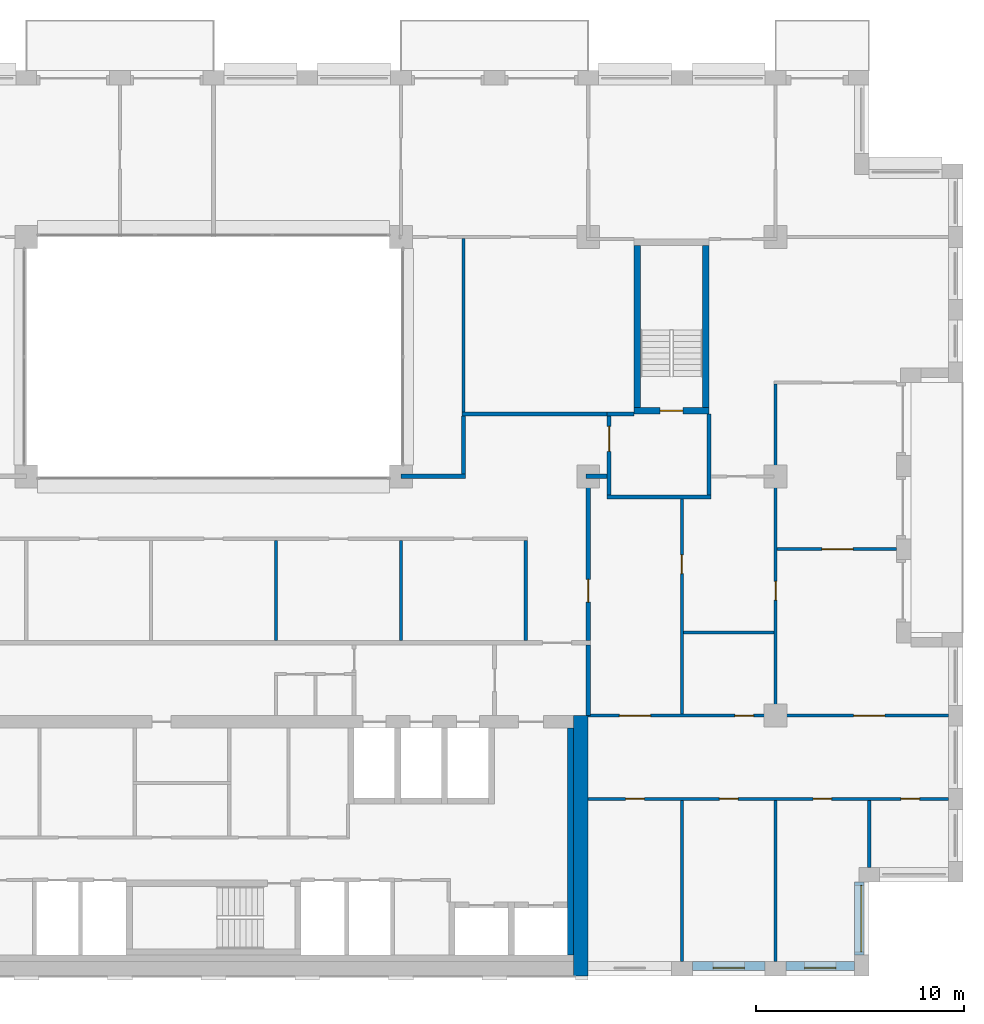
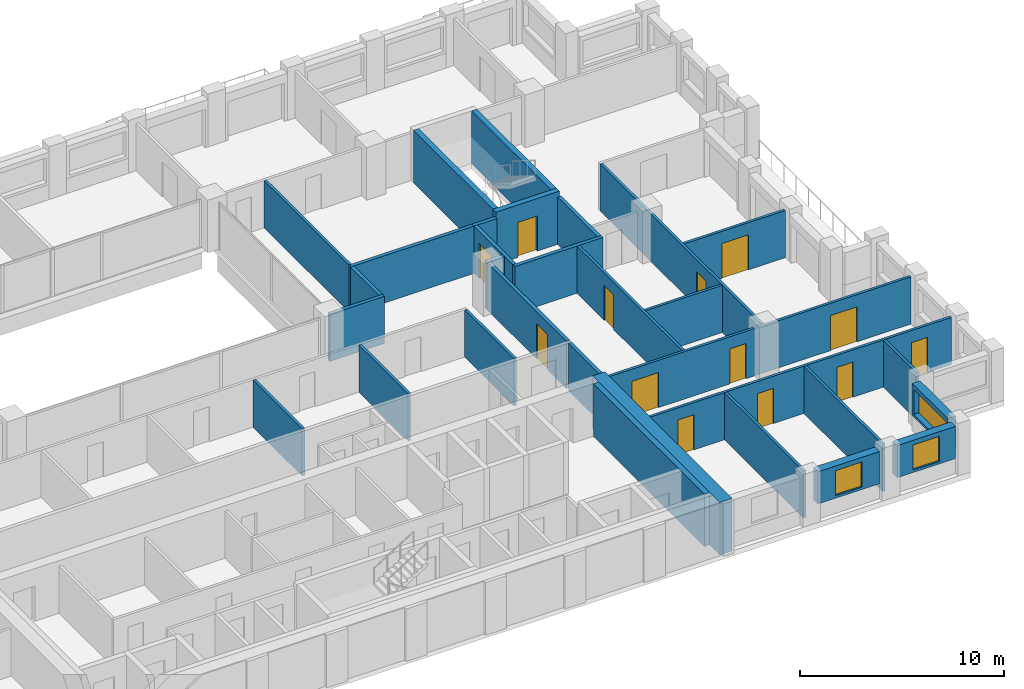
# One storey, part 11 of 15: 31 walls, 13 doors, 3 windows, 16 openings.
"""IFC4 building model written with IfcOpenShell, lengths in metres."""

import ifcopenshell
import ifcopenshell.guid

model = None  # the IFC model being written
_history = None  # IfcOwnerHistory: only IFC2X3 demands one
_inside = {}  # id of a spatial element -> (the spatial element, [elements in it])
_under = {}  # id of a project, library or spatial element -> (it, [spatial elements below it])
_declared = {}  # id of a project -> (the project, [libraries it declares])
_typed = {}  # id of a type object -> (the type object, [elements of that type])
_made_of = {}  # id of a material, layer set ... -> (it, [elements and type objects made of it])


def new_model(schema):
    """Start an empty IFC model of exactly this schema.

    Asked for "IFC4X3", IfcOpenShell would pick the latest addendum, in which some entities
    have other attributes; the version numbers below select the first issue.
    IFC2X3 requires an IfcOwnerHistory on every rooted entity: one is made here for all.
    """
    global model, _history
    if schema == "IFC4X3":
        model = ifcopenshell.file(schema_version=(4, 3, 0, 0))
    else:
        model = ifcopenshell.file(schema=schema)
    _inside.clear()
    _under.clear()
    _declared.clear()
    _typed.clear()
    _made_of.clear()
    _history = None
    if model.schema == "IFC2X3":
        org = make("IfcOrganization", Name="unknown")
        user = make(
            "IfcPersonAndOrganization",
            ThePerson=make("IfcPerson", FamilyName="unknown"),
            TheOrganization=org,
        )
        app = make(
            "IfcApplication",
            ApplicationDeveloper=org,
            Version="unknown",
            ApplicationFullName="unknown",
            ApplicationIdentifier="unknown",
        )
        _history = make(
            "IfcOwnerHistory",
            OwningUser=user,
            OwningApplication=app,
            ChangeAction="ADDED",
            CreationDate=0,
        )
    return model


def make(cls, **values):
    """One entity of the class cls with the attributes given. An attribute that is None is left unset."""
    return model.create_entity(
        cls, **{name: value for name, value in values.items() if value is not None}
    )


def rooted(cls, **values):
    """An entity with a GlobalId (a new one), such as an element, a storey or a relation."""
    return make(cls, GlobalId=ifcopenshell.guid.new(), OwnerHistory=_history, **values)


def si_unit(unit_type, name, prefix=None):
    """IfcSIUnit, for example si_unit("LENGTHUNIT", "METRE", prefix="MILLI")."""
    return make("IfcSIUnit", UnitType=unit_type, Prefix=prefix, Name=name)


def assignment(units):
    """IfcUnitAssignment: the units of a project."""
    return None if units is None else make("IfcUnitAssignment", Units=units)


def point(xyz):
    """IfcCartesianPoint."""
    return None if xyz is None else make("IfcCartesianPoint", Coordinates=xyz)


def direction(xyz):
    """IfcDirection."""
    return None if xyz is None else make("IfcDirection", DirectionRatios=xyz)


def frame(location, z_axis=None, x_axis=None):
    """IfcAxis2Placement3D, a coordinate frame: its origin and axes. An axis left out is left unset."""
    return make(
        "IfcAxis2Placement3D",
        Location=point(location),
        Axis=direction(z_axis),
        RefDirection=direction(x_axis),
    )


def frame_2d(location, x_axis=None):
    """IfcAxis2Placement2D, a coordinate frame in the plane: its origin and x axis."""
    return make(
        "IfcAxis2Placement2D", Location=point(location), RefDirection=direction(x_axis)
    )


def origin():
    """The frame at (0, 0, 0) with its axes left unset."""
    return frame((0.0, 0.0, 0.0))


def place(relative_to, where):
    """IfcLocalPlacement: puts the frame where relative to a parent placement (None: the world)."""
    return make(
        "IfcLocalPlacement", PlacementRelTo=relative_to, RelativePlacement=where
    )


def context(
    kind, dimensions, precision=None, world=None, true_north=None, identifier=None
):
    """IfcGeometricRepresentationContext, for example the 3D "Model" context."""
    return make(
        "IfcGeometricRepresentationContext",
        ContextIdentifier=identifier,
        ContextType=kind,
        CoordinateSpaceDimension=dimensions,
        Precision=precision,
        WorldCoordinateSystem=world,
        TrueNorth=true_north,
    )


def subcontext(parent, identifier, kind, view, scale=None):
    """IfcGeometricRepresentationSubContext, for example "Body" below "Model"."""
    return make(
        "IfcGeometricRepresentationSubContext",
        ContextIdentifier=identifier,
        ContextType=kind,
        ParentContext=parent,
        TargetScale=scale,
        TargetView=view,
    )


def project(units=None, contexts=None):
    """IfcProject with its units and contexts."""
    return rooted(
        "IfcProject",
        Name="project",
        RepresentationContexts=contexts,
        UnitsInContext=assignment(units),
    )


def spatial(cls, under=None, at=None, **own):
    """A site, building, storey or space (cls), placed at a placement, below another one or the project."""
    s = rooted(cls, ObjectPlacement=at, **own)
    if under is not None:
        _under.setdefault(under.id(), (under, []))[1].append(s)
    return s


def profile(cls, at=None, kind="AREA", **sizes):
    """A parametric profile (cls). Its sizes go by their IFC names, for example OverallWidth=200.0."""
    return make(cls, ProfileType=kind, Position=at, **sizes)


def rectangle(**sizes):
    """IfcRectangleProfileDef."""
    return profile("IfcRectangleProfileDef", **sizes)


def extrude(swept, where, along, depth):
    """IfcExtrudedAreaSolid: the profile swept, set in the frame where, extruded along a direction by depth."""
    return make(
        "IfcExtrudedAreaSolid",
        SweptArea=swept,
        Position=where,
        ExtrudedDirection=direction(along),
        Depth=depth,
    )


def shape(context_of_items, identifier, shape_type, items):
    """IfcShapeRepresentation: the items that make up one representation, for example the "Body"."""
    return make(
        "IfcShapeRepresentation",
        ContextOfItems=context_of_items,
        RepresentationIdentifier=identifier,
        RepresentationType=shape_type,
        Items=items,
    )


def material(Name=None, Category=None):
    """IfcMaterial."""
    return make("IfcMaterial", Name=Name, Category=Category)


def layer(
    of_material, thickness, ventilated=None, Name=None, Category=None, Priority=None
):
    """IfcMaterialLayer: one layer of a wall or slab, of a material (None: an air gap)."""
    return make(
        "IfcMaterialLayer",
        Material=of_material,
        LayerThickness=thickness,
        IsVentilated=ventilated,
        Name=Name,
        Category=Category,
        Priority=Priority,
    )


def layer_set(layers, Name=None):
    """IfcMaterialLayerSet."""
    return make("IfcMaterialLayerSet", MaterialLayers=layers, LayerSetName=Name)


def made_of(thing, what):
    """Note that an element or type object is made of a material, layer set ...; save() writes the relation."""
    if what is not None:
        _made_of.setdefault(what.id(), (what, []))[1].append(thing)
    return thing


def type_object(cls, material=None, **own):
    """A type object (cls), such as IfcWallType, which elements share."""
    return made_of(rooted(cls, **own), material)


def element(
    cls,
    number,
    at=None,
    inside=None,
    cuts=None,
    type_object=None,
    material=None,
    context=None,
    identifier="Body",
    shape_type=None,
    held_by="IfcProductDefinitionShape",
    body=None,
    shapes=None,
    **own,
):
    """One element of the class cls, such as IfcWall. Its Tag is "e" and its number.

    at: its placement. inside: the storey or other place that contains it. cuts: it is an
    opening in that element (IfcRelVoidsElement). A single representation is given by context,
    identifier, shape_type and body (its items); several are given by shapes. held_by: the class
    of the entity that holds the representations. save() writes the other relations.
    """
    e = rooted(cls, Tag="e%d" % number, ObjectPlacement=at, **own)
    if body is not None:
        shapes = [shape(context, identifier, shape_type, body)]
    if shapes is not None:
        e.Representation = make(held_by, Representations=shapes)
    if inside is not None:
        _inside.setdefault(inside.id(), (inside, []))[1].append(e)
    if cuts is not None:
        rooted(
            "IfcRelVoidsElement", RelatingBuildingElement=cuts, RelatedOpeningElement=e
        )
    if type_object is not None:
        _typed.setdefault(type_object.id(), (type_object, []))[1].append(e)
    return made_of(e, material)


def fill(opening, filler):
    """IfcRelFillsElement: the door or window that sits in an opening."""
    return rooted(
        "IfcRelFillsElement",
        RelatingOpeningElement=opening,
        RelatedBuildingElement=filler,
    )


def aggregate(whole, parts):
    """IfcRelAggregates: a whole, such as a stair, and the parts it consists of."""
    return rooted("IfcRelAggregates", RelatingObject=whole, RelatedObjects=parts)


def save(model, path):
    """Write the relations noted so far, then the file.

    IfcRelAggregates (storeys below a building ...), IfcRelContainedInSpatialStructure (elements
    in a storey), IfcRelDefinesByType, IfcRelAssociatesMaterial and IfcRelDeclares: one each for
    every whole, place, type object, material and project.
    """
    for whole, parts in _under.values():
        aggregate(whole, parts)
    for where, things in _inside.values():
        rooted(
            "IfcRelContainedInSpatialStructure",
            RelatedElements=things,
            RelatingStructure=where,
        )
    for kind, things in _typed.values():
        rooted("IfcRelDefinesByType", RelatedObjects=things, RelatingType=kind)
    for what, things in _made_of.values():
        rooted("IfcRelAssociatesMaterial", RelatedObjects=things, RelatingMaterial=what)
    for by, libraries in _declared.values():
        rooted("IfcRelDeclares", RelatingContext=by, RelatedDefinitions=libraries)
    model.write(path)


model = new_model("IFC4")

# Units and contexts
model_context = context("Model", 3, precision=1e-05, world=origin(), true_north=direction((0.0, 1.0)))
body_context = subcontext(model_context, "Body", "Model", "MODEL_VIEW")
ifc_project = project(units=[si_unit("LENGTHUNIT", "METRE"), si_unit("AREAUNIT", "SQUARE_METRE"), si_unit("VOLUMEUNIT", "CUBIC_METRE"), si_unit("PLANEANGLEUNIT", "RADIAN"), si_unit("MASSUNIT", "GRAM", prefix="KILO")], contexts=[model_context])

# Site, building, storey
site_placement = place(None, origin())
site = spatial("IfcSite", under=ifc_project, at=site_placement, CompositionType="ELEMENT")
building_placement = place(site_placement, origin())
building = spatial("IfcBuilding", under=site, at=building_placement, Name="Brigalow Station Residences", CompositionType="ELEMENT")
storey_placement = place(building_placement, frame((0.0, 0.0, 144.449951171875)))
storey = spatial("IfcBuildingStorey", under=building, at=storey_placement, Name="L41", CompositionType="ELEMENT", Elevation=144.449951171875)

# Wall, opening, window
ifc_material_1 = material(Name="Clay brick masonry", Category="masonry")
ifc_layer_1 = layer(ifc_material_1, 0.449951171875)
ifc_layer_set_1 = layer_set([ifc_layer_1], Name="BRICK INFILL WALL 450")
wall_type_1 = type_object("IfcWallType", Name="BRICK INFILL WALL 450", PredefinedType="SOLIDWALL", material=ifc_layer_set_1)
wall_1_placement = place(storey_placement, frame((59.0, 0.47509765625, 0.900146484375), z_axis=(0.0, 0.0, 1.0), x_axis=(1.0, 0.0, 0.0)))
wall_1 = element("IfcWall", 1, at=wall_1_placement, inside=storey, type_object=wall_type_1, Name="L41/ewall/W-L41-5", PredefinedType="SOLIDWALL", context=body_context, shape_type="SweptSolid", body=[
    extrude(rectangle(XDim=3.5, YDim=0.449951171875, at=frame_2d((1.75, 0.0))), origin(), (0.0, 0.0, 1.0), 1.929931640625),
])
opening_1_placement = place(wall_1_placement, frame((1.0, 0.0, 0.14990234375)))
opening_1 = element("IfcOpeningElement", 2, at=opening_1_placement, cuts=wall_1, Name="Opening WT-1", PredefinedType="OPENING", context=body_context, shape_type="SweptSolid", body=[
    extrude(rectangle(XDim=1.5, YDim=1.5, at=frame_2d((0.75, 0.75))), frame((0.0, 0.23486328125, 0.0), z_axis=(0.0, -1.0, 0.0), x_axis=(1.0, 0.0, 0.0)), (0.0, 0.0, 1.0), 0.469970703125),
])
ifc_material_2 = material(Name="Anodised aluminium frame with double glazing", Category="aluminium")
window_type_1 = type_object("IfcWindowType", Name="WINDOW 1500x1500", PartitioningType="SINGLE_PANEL", PredefinedType="WINDOW", material=ifc_material_2)
window_1_placement = place(opening_1_placement, origin())
window_1 = element("IfcWindow", 3, at=window_1_placement, inside=storey, type_object=window_type_1, Name="L41/window/W-L41-5", OverallHeight=1.5, OverallWidth=1.5, PartitioningType="SINGLE_PANEL", PredefinedType="WINDOW", context=body_context, shape_type="SweptSolid", body=[
    extrude(rectangle(XDim=1.5, YDim=1.5, at=frame_2d((0.75, 0.75))), frame((0.0, -0.06494140625, 0.0), z_axis=(0.0, -1.0, 0.0), x_axis=(1.0, 0.0, 0.0)), (0.0, 0.0, 1.0), 0.06005859375),
])
fill(opening_1, window_1)

wall_2_placement = place(storey_placement, frame((63.5, 0.47509765625, 0.900146484375), z_axis=(0.0, 0.0, 1.0), x_axis=(1.0, 0.0, 0.0)))
wall_2 = element("IfcWall", 4, at=wall_2_placement, inside=storey, type_object=wall_type_1, Name="L41/ewall/W-L41-6", PredefinedType="SOLIDWALL", context=body_context, shape_type="SweptSolid", body=[
    extrude(rectangle(XDim=3.300048828125, YDim=0.449951171875, at=frame_2d((1.64990234375, 0.0))), origin(), (0.0, 0.0, 1.0), 1.929931640625),
])
opening_2_placement = place(wall_2_placement, frame((0.89990234375, 0.0, 0.14990234375)))
opening_2 = element("IfcOpeningElement", 5, at=opening_2_placement, cuts=wall_2, Name="Opening WT-1", PredefinedType="OPENING", context=body_context, shape_type="SweptSolid", body=[
    extrude(rectangle(XDim=1.5, YDim=1.5, at=frame_2d((0.75, 0.75))), frame((0.0, 0.23486328125, 0.0), z_axis=(0.0, -1.0, 0.0), x_axis=(1.0, 0.0, 0.0)), (0.0, 0.0, 1.0), 0.469970703125),
])
window_2_placement = place(opening_2_placement, origin())
window_2 = element("IfcWindow", 6, at=window_2_placement, inside=storey, type_object=window_type_1, Name="L41/window/W-L41-6", OverallHeight=1.5, OverallWidth=1.5, PartitioningType="SINGLE_PANEL", PredefinedType="WINDOW", context=body_context, shape_type="SweptSolid", body=[
    extrude(rectangle(XDim=1.5, YDim=1.5, at=frame_2d((0.75, 0.75))), frame((0.0, -0.06494140625, 0.0), z_axis=(0.0, -1.0, 0.0), x_axis=(1.0, 0.0, 0.0)), (0.0, 0.0, 1.0), 0.06005859375),
])
fill(opening_2, window_2)

wall_3_placement = place(storey_placement, frame((67.02490234375, 1.0, 0.900146484375), z_axis=(0.0, 0.0, 1.0), x_axis=(0.0, 1.0, 0.0)))
wall_3 = element("IfcWall", 7, at=wall_3_placement, inside=storey, type_object=wall_type_1, Name="L41/ewall/W-L41-7", PredefinedType="SOLIDWALL", context=body_context, shape_type="SweptSolid", body=[
    extrude(rectangle(XDim=3.5, YDim=0.449951171875, at=frame_2d((1.75, 0.0))), origin(), (0.0, 0.0, 1.0), 1.929931640625),
])
opening_3_placement = place(wall_3_placement, frame((0.14990234375, 0.0, 0.14990234375)))
opening_3 = element("IfcOpeningElement", 8, at=opening_3_placement, cuts=wall_3, Name="Opening WT-9", PredefinedType="OPENING", context=body_context, shape_type="SweptSolid", body=[
    extrude(rectangle(XDim=3.199951171875, YDim=1.5, at=frame_2d((1.60009765625, 0.75))), frame((0.0, 0.23486328125, 0.0), z_axis=(0.0, -1.0, 0.0), x_axis=(1.0, 0.0, 0.0)), (0.0, 0.0, 1.0), 0.469970703125),
])
ifc_material_3 = material(Name="Anodised aluminium frame with double glazing", Category="aluminium")
window_type_2 = type_object("IfcWindowType", Name="WINDOW 3200x1500", PartitioningType="SINGLE_PANEL", PredefinedType="WINDOW", material=ifc_material_3)
window_3_placement = place(opening_3_placement, origin())
window_3 = element("IfcWindow", 9, at=window_3_placement, inside=storey, type_object=window_type_2, Name="L41/window/W-L41-7", OverallHeight=1.5, OverallWidth=3.199951171875, PartitioningType="SINGLE_PANEL", PredefinedType="WINDOW", context=body_context, shape_type="SweptSolid", body=[
    extrude(rectangle(XDim=3.199951171875, YDim=1.5, at=frame_2d((1.60009765625, 0.75))), frame((0.0, -0.06494140625, 0.0), z_axis=(0.0, -1.0, 0.0), x_axis=(1.0, 0.0, 0.0)), (0.0, 0.0, 1.0), 0.06005859375),
])
fill(opening_3, window_3)

# Wall
ifc_material_4 = material(Name="Concrete C65", Category="concrete")
ifc_layer_2 = layer(ifc_material_4, 0.300048828125)
ifc_layer_set_2 = layer_set([ifc_layer_2], Name="CORE SHEAR WALL 300 C65")
wall_type_2 = type_object("IfcWallType", Name="CORE SHEAR WALL 300 C65", PredefinedType="SHEAR", material=ifc_layer_set_2)
wall_4_placement = place(storey_placement, frame((53.14990234375, 1.0, 0.0), z_axis=(0.0, 0.0, 1.0), x_axis=(0.0, 1.0, 0.0)))
element("IfcWall", 10, at=wall_4_placement, inside=storey, type_object=wall_type_2, Name="CORE WALL LIN-E L41", PredefinedType="SHEAR", context=body_context, shape_type="SweptSolid", body=[
    extrude(rectangle(XDim=10.89990234375, YDim=0.300048828125, at=frame_2d((5.449951171875, 0.0))), origin(), (0.0, 0.0, 1.0), 3.150146484375),
])

# Wall, opening, door
wall_5_placement = place(storey_placement, frame((56.199951171875, 27.14990234375, 0.0), z_axis=(0.0, 0.0, 1.0), x_axis=(1.0, 0.0, 0.0)))
wall_5 = element("IfcWall", 11, at=wall_5_placement, inside=storey, type_object=wall_type_2, Name="CORE WALL ST-S3-S L41", PredefinedType="SHEAR", context=body_context, shape_type="SweptSolid", body=[
    extrude(rectangle(XDim=3.60009765625, YDim=0.300048828125, at=frame_2d((1.800048828125, 0.0))), origin(), (0.0, 0.0, 1.0), 3.150146484375),
])
opening_4_placement = place(wall_5_placement, frame((1.25, 0.0, 0.0)))
opening_4 = element("IfcOpeningElement", 12, at=opening_4_placement, cuts=wall_5, Name="Opening D-5018", PredefinedType="OPENING", context=body_context, shape_type="SweptSolid", body=[
    extrude(rectangle(XDim=1.10009765625, YDim=2.10009765625, at=frame_2d((0.550048828125, 1.050048828125))), frame((0.0, 0.16015625, 0.0), z_axis=(0.0, -1.0, 0.0), x_axis=(1.0, 0.0, 0.0)), (0.0, 0.0, 1.0), 0.320068359375),
])
ifc_material_5 = material(Name="Steel fire door leaf in steel frame", Category="steel")
door_type_1 = type_object("IfcDoorType", Name="STAIR DOOR 1100 x 2100 FD60S", OperationType="SINGLE_SWING_LEFT", PredefinedType="DOOR", material=ifc_material_5)
door_1_placement = place(opening_4_placement, origin())
door_1 = element("IfcDoor", 13, at=door_1_placement, inside=storey, type_object=door_type_1, Name="D-5018", OperationType="SINGLE_SWING_LEFT", OverallHeight=2.10009765625, OverallWidth=1.10009765625, PredefinedType="DOOR", context=body_context, shape_type="SweptSolid", body=[
    extrude(rectangle(XDim=1.10009765625, YDim=2.10009765625, at=frame_2d((0.550048828125, 1.050048828125))), frame((0.0, 0.02490234375, 0.0), z_axis=(0.0, -1.0, 0.0), x_axis=(1.0, 0.0, 0.0)), (0.0, 0.0, 1.0), 0.050048828125),
])
fill(opening_4, door_1)

# Walls
for number, where, z_axis, x_axis, name in (
    (14, (56.35009765625, 27.300048828125, 0.0), (0.0, 0.0, 1.0), (0.0, 1.0, 0.0), "CORE WALL ST-S3-W L41"),
    (15, (59.64990234375, 27.300048828125, 0.0), (0.0, 0.0, 1.0), (0.0, 1.0, 0.0), "CORE WALL ST-S3-E L41"),
):
    element("IfcWall", number, at=place(storey_placement, frame(where, z_axis=z_axis, x_axis=x_axis)), inside=storey, type_object=wall_type_2, Name=name, PredefinedType="SHEAR", context=body_context, shape_type="SweptSolid", body=[
        extrude(rectangle(XDim=7.800048828125, YDim=0.300048828125, at=frame_2d((3.89990234375, 0.0))), origin(), (0.0, 0.0, 1.0), 3.150146484375),
    ])
ifc_material_6 = material(Name="Concrete C65", Category="concrete")
ifc_layer_3 = layer(ifc_material_6, 0.699951171875)
ifc_layer_set_3 = layer_set([ifc_layer_3], Name="CORE SHEAR WALL 700 C65")
wall_type_3 = type_object("IfcWallType", Name="CORE SHEAR WALL 700 C65", PredefinedType="SHEAR", material=ifc_layer_set_3)
wall_6_placement = place(storey_placement, frame((53.64990234375, 0.0, 0.0), z_axis=(0.0, 0.0, 1.0), x_axis=(0.0, 1.0, 0.0)))
element("IfcWall", 16, at=wall_6_placement, inside=storey, type_object=wall_type_3, Name="CORE WALL OUT-E L41", PredefinedType="SHEAR", context=body_context, shape_type="SweptSolid", body=[
    extrude(rectangle(XDim=12.5, YDim=0.699951171875, at=frame_2d((6.25, 0.0))), origin(), (0.0, 0.0, 1.0), 3.150146484375),
])
ifc_material_7 = material(Name="Concrete blockwork", Category="masonry")
ifc_layer_4 = layer(ifc_material_7, 0.199951171875)
ifc_layer_set_4 = layer_set([ifc_layer_4], Name="FIRE RATED CORE PARTITION 200")
wall_type_4 = type_object("IfcWallType", Name="FIRE RATED CORE PARTITION 200", PredefinedType="PARTITIONING", material=ifc_layer_set_4)
wall_7_placement = place(storey_placement, frame((54.89990234375, 23.0, 0.0), z_axis=(0.0, 0.0, 1.0), x_axis=(1.0, 0.0, 0.0)))
element("IfcWall", 17, at=wall_7_placement, inside=storey, type_object=wall_type_4, Name="PW-5024", PredefinedType="PARTITIONING", context=body_context, shape_type="SweptSolid", body=[
    extrude(rectangle(XDim=5.0, YDim=0.199951171875, at=frame_2d((2.5, 0.0))), origin(), (0.0, 0.0, 1.0), 2.830078125),
])
wall_8_placement = place(storey_placement, frame((54.89990234375, 27.0, 0.0), z_axis=(0.0, 0.0, 1.0), x_axis=(1.0, 0.0, 0.0)))
element("IfcWall", 18, at=wall_8_placement, inside=storey, type_object=wall_type_4, Name="PW-5026", PredefinedType="PARTITIONING", context=body_context, shape_type="SweptSolid", body=[
    extrude(rectangle(XDim=1.300048828125, YDim=0.199951171875, at=frame_2d((0.64990234375, 0.0))), origin(), (0.0, 0.0, 1.0), 2.830078125),
])
wall_9_placement = place(storey_placement, frame((54.0, 12.5, 0.0), z_axis=(0.0, 0.0, 1.0), x_axis=(0.0, 1.0, 0.0)))
element("IfcWall", 19, at=wall_9_placement, inside=storey, type_object=wall_type_4, Name="PW-5016", PredefinedType="PARTITIONING", context=body_context, shape_type="SweptSolid", body=[
    extrude(rectangle(XDim=3.39990234375, YDim=0.199951171875, at=frame_2d((1.699951171875, 0.0))), origin(), (0.0, 0.0, 1.0), 2.830078125),
])

# Wall, opening, door
wall_10_placement = place(storey_placement, frame((55.0, 23.10009765625, 0.0), z_axis=(0.0, 0.0, 1.0), x_axis=(0.0, 1.0, 0.0)))
wall_10 = element("IfcWall", 20, at=wall_10_placement, inside=storey, type_object=wall_type_4, Name="PW-5036", PredefinedType="PARTITIONING", context=body_context, shape_type="SweptSolid", body=[
    extrude(rectangle(XDim=3.7998046875, YDim=0.199951171875, at=frame_2d((1.89990234375, 0.0))), origin(), (0.0, 0.0, 1.0), 2.830078125),
])
opening_5_placement = place(wall_10_placement, frame((2.10009765625, 0.0, 0.0)))
opening_5 = element("IfcOpeningElement", 21, at=opening_5_placement, cuts=wall_10, Name="Opening D-5019", PredefinedType="OPENING", context=body_context, shape_type="SweptSolid", body=[
    extrude(rectangle(XDim=1.199951171875, YDim=2.10009765625, at=frame_2d((0.60009765625, 1.050048828125))), frame((0.0, 0.10986328125, 0.0), z_axis=(0.0, -1.0, 0.0), x_axis=(1.0, 0.0, 0.0)), (0.0, 0.0, 1.0), 0.219970703125),
])
ifc_material_8 = material(Name="Steel fire door leaf in steel frame", Category="steel")
door_type_2 = type_object("IfcDoorType", Name="STAIR LOBBY DOOR 1200 x 2100 FD60S", OperationType="SINGLE_SWING_LEFT", PredefinedType="DOOR", material=ifc_material_8)
door_2_placement = place(opening_5_placement, frame((1.199951171875, 0.0, 0.0), z_axis=(0.0, 0.0, 1.0), x_axis=(-1.0, 0.0, 0.0)))
door_2 = element("IfcDoor", 22, at=door_2_placement, inside=storey, type_object=door_type_2, Name="D-5019", OperationType="SINGLE_SWING_LEFT", OverallHeight=2.10009765625, OverallWidth=1.199951171875, PredefinedType="DOOR", context=body_context, shape_type="SweptSolid", body=[
    extrude(rectangle(XDim=1.199951171875, YDim=2.10009765625, at=frame_2d((0.60009765625, 1.050048828125))), frame((0.0, 0.02490234375, 0.0), z_axis=(0.0, -1.0, 0.0), x_axis=(1.0, 0.0, 0.0)), (0.0, 0.0, 1.0), 0.050048828125),
])
fill(opening_5, door_2)

# Wall
wall_11_placement = place(storey_placement, frame((59.800048828125, 23.10009765625, 0.0), z_axis=(0.0, 0.0, 1.0), x_axis=(0.0, 1.0, 0.0)))
element("IfcWall", 23, at=wall_11_placement, inside=storey, type_object=wall_type_4, Name="PW-5037", PredefinedType="PARTITIONING", context=body_context, shape_type="SweptSolid", body=[
    extrude(rectangle(XDim=3.89990234375, YDim=0.199951171875, at=frame_2d((1.949951171875, 0.0))), origin(), (0.0, 0.0, 1.0), 2.830078125),
])

# Wall, openings, doors
ifc_material_9 = material(Name="Plasterboard on steel stud partition", Category="steel")
ifc_layer_5 = layer(ifc_material_9, 0.14990234375)
ifc_layer_set_5 = layer_set([ifc_layer_5], Name="FLAT PARTITION 150")
wall_type_5 = type_object("IfcWallType", Name="FLAT PARTITION 150", PredefinedType="PARTITIONING", material=ifc_layer_set_5)
wall_12_placement = place(storey_placement, frame((54.0, 8.5, 0.0), z_axis=(0.0, 0.0, 1.0), x_axis=(1.0, 0.0, 0.0)))
wall_12 = element("IfcWall", 24, at=wall_12_placement, inside=storey, type_object=wall_type_5, Name="PW-3A10", PredefinedType="PARTITIONING", context=body_context, shape_type="SweptSolid", body=[
    extrude(rectangle(XDim=17.300048828125, YDim=0.14990234375, at=frame_2d((8.64990234375, 0.0))), origin(), (0.0, 0.0, 1.0), 2.830078125),
])
opening_6_placement = place(wall_12_placement, frame((1.800048828125, 0.0, 0.0)))
opening_6 = element("IfcOpeningElement", 25, at=opening_6_placement, cuts=wall_12, Name="Opening D-3A21", PredefinedType="OPENING", context=body_context, shape_type="SweptSolid", body=[
    extrude(rectangle(XDim=0.89990234375, YDim=2.10009765625, at=frame_2d((0.449951171875, 1.050048828125))), frame((0.0, 0.0849609375, 0.0), z_axis=(0.0, -1.0, 0.0), x_axis=(1.0, 0.0, 0.0)), (0.0, 0.0, 1.0), 0.169921875),
])
opening_7_placement = place(wall_12_placement, frame((6.300048828125, 0.0, 0.0)))
opening_7 = element("IfcOpeningElement", 26, at=opening_7_placement, cuts=wall_12, Name="Opening D-3A22", PredefinedType="OPENING", context=body_context, shape_type="SweptSolid", body=[
    extrude(rectangle(XDim=0.89990234375, YDim=2.10009765625, at=frame_2d((0.449951171875, 1.050048828125))), frame((0.0, 0.0849609375, 0.0), z_axis=(0.0, -1.0, 0.0), x_axis=(1.0, 0.0, 0.0)), (0.0, 0.0, 1.0), 0.169921875),
])
opening_8_placement = place(wall_12_placement, frame((10.800048828125, 0.0, 0.0)))
opening_8 = element("IfcOpeningElement", 27, at=opening_8_placement, cuts=wall_12, Name="Opening D-3A23", PredefinedType="OPENING", context=body_context, shape_type="SweptSolid", body=[
    extrude(rectangle(XDim=0.89990234375, YDim=2.10009765625, at=frame_2d((0.449951171875, 1.050048828125))), frame((0.0, 0.0849609375, 0.0), z_axis=(0.0, -1.0, 0.0), x_axis=(1.0, 0.0, 0.0)), (0.0, 0.0, 1.0), 0.169921875),
])
opening_9_placement = place(wall_12_placement, frame((15.02490234375, 0.0, 0.0)))
opening_9 = element("IfcOpeningElement", 28, at=opening_9_placement, cuts=wall_12, Name="Opening D-3A24", PredefinedType="OPENING", context=body_context, shape_type="SweptSolid", body=[
    extrude(rectangle(XDim=0.89990234375, YDim=2.10009765625, at=frame_2d((0.449951171875, 1.050048828125))), frame((0.0, 0.0849609375, 0.0), z_axis=(0.0, -1.0, 0.0), x_axis=(1.0, 0.0, 0.0)), (0.0, 0.0, 1.0), 0.169921875),
])
ifc_material_10 = material(Name="Solid-core timber door leaf", Category="wood")
door_type_3 = type_object("IfcDoorType", Name="INTERNAL DOOR 900 x 2100", OperationType="SINGLE_SWING_LEFT", PredefinedType="DOOR", material=ifc_material_10)
door_3_placement = place(opening_6_placement, frame((0.89990234375, 0.0, 0.0), z_axis=(0.0, 0.0, 1.0), x_axis=(-1.0, 0.0, 0.0)))
door_3 = element("IfcDoor", 29, at=door_3_placement, inside=storey, type_object=door_type_3, Name="D-3A21", OperationType="SINGLE_SWING_LEFT", OverallHeight=2.10009765625, OverallWidth=0.89990234375, PredefinedType="DOOR", context=body_context, shape_type="SweptSolid", body=[
    extrude(rectangle(XDim=0.89990234375, YDim=2.10009765625, at=frame_2d((0.449951171875, 1.050048828125))), frame((0.0, 0.02490234375, 0.0), z_axis=(0.0, -1.0, 0.0), x_axis=(1.0, 0.0, 0.0)), (0.0, 0.0, 1.0), 0.050048828125),
])
fill(opening_6, door_3)
door_4_placement = place(opening_7_placement, frame((0.89990234375, 0.0, 0.0), z_axis=(0.0, 0.0, 1.0), x_axis=(-1.0, 0.0, 0.0)))
door_4 = element("IfcDoor", 30, at=door_4_placement, inside=storey, type_object=door_type_3, Name="D-3A22", OperationType="SINGLE_SWING_LEFT", OverallHeight=2.10009765625, OverallWidth=0.89990234375, PredefinedType="DOOR", context=body_context, shape_type="SweptSolid", body=[
    extrude(rectangle(XDim=0.89990234375, YDim=2.10009765625, at=frame_2d((0.449951171875, 1.050048828125))), frame((0.0, 0.02490234375, 0.0), z_axis=(0.0, -1.0, 0.0), x_axis=(1.0, 0.0, 0.0)), (0.0, 0.0, 1.0), 0.050048828125),
])
fill(opening_7, door_4)
door_5_placement = place(opening_8_placement, frame((0.89990234375, 0.0, 0.0), z_axis=(0.0, 0.0, 1.0), x_axis=(-1.0, 0.0, 0.0)))
door_5 = element("IfcDoor", 31, at=door_5_placement, inside=storey, type_object=door_type_3, Name="D-3A23", OperationType="SINGLE_SWING_LEFT", OverallHeight=2.10009765625, OverallWidth=0.89990234375, PredefinedType="DOOR", context=body_context, shape_type="SweptSolid", body=[
    extrude(rectangle(XDim=0.89990234375, YDim=2.10009765625, at=frame_2d((0.449951171875, 1.050048828125))), frame((0.0, 0.02490234375, 0.0), z_axis=(0.0, -1.0, 0.0), x_axis=(1.0, 0.0, 0.0)), (0.0, 0.0, 1.0), 0.050048828125),
])
fill(opening_8, door_5)
door_6_placement = place(opening_9_placement, frame((0.89990234375, 0.0, 0.0), z_axis=(0.0, 0.0, 1.0), x_axis=(-1.0, 0.0, 0.0)))
door_6 = element("IfcDoor", 32, at=door_6_placement, inside=storey, type_object=door_type_3, Name="D-3A24", OperationType="SINGLE_SWING_LEFT", OverallHeight=2.10009765625, OverallWidth=0.89990234375, PredefinedType="DOOR", context=body_context, shape_type="SweptSolid", body=[
    extrude(rectangle(XDim=0.89990234375, YDim=2.10009765625, at=frame_2d((0.449951171875, 1.050048828125))), frame((0.0, 0.02490234375, 0.0), z_axis=(0.0, -1.0, 0.0), x_axis=(1.0, 0.0, 0.0)), (0.0, 0.0, 1.0), 0.050048828125),
])
fill(opening_9, door_6)

wall_13_placement = place(storey_placement, frame((54.0, 12.5, 0.0), z_axis=(0.0, 0.0, 1.0), x_axis=(1.0, 0.0, 0.0)))
wall_13 = element("IfcWall", 33, at=wall_13_placement, inside=storey, type_object=wall_type_5, Name="PW-3A12", PredefinedType="PARTITIONING", context=body_context, shape_type="SweptSolid", body=[
    extrude(rectangle(XDim=17.300048828125, YDim=0.14990234375, at=frame_2d((8.64990234375, 0.0))), origin(), (0.0, 0.0, 1.0), 2.830078125),
])
opening_10_placement = place(wall_13_placement, frame((1.5, 0.0, 0.0)))
opening_10 = element("IfcOpeningElement", 34, at=opening_10_placement, cuts=wall_13, Name="Opening D-3A20", PredefinedType="OPENING", context=body_context, shape_type="SweptSolid", body=[
    extrude(rectangle(XDim=1.5, YDim=2.10009765625, at=frame_2d((0.75, 1.050048828125))), frame((0.0, 0.0849609375, 0.0), z_axis=(0.0, -1.0, 0.0), x_axis=(1.0, 0.0, 0.0)), (0.0, 0.0, 1.0), 0.169921875),
])
opening_11_placement = place(wall_13_placement, frame((7.050048828125, 0.0, 0.0)))
opening_11 = element("IfcOpeningElement", 35, at=opening_11_placement, cuts=wall_13, Name="Opening D-3A25", PredefinedType="OPENING", context=body_context, shape_type="SweptSolid", body=[
    extrude(rectangle(XDim=0.89990234375, YDim=2.10009765625, at=frame_2d((0.449951171875, 1.050048828125))), frame((0.0, 0.0849609375, 0.0), z_axis=(0.0, -1.0, 0.0), x_axis=(1.0, 0.0, 0.0)), (0.0, 0.0, 1.0), 0.169921875),
])
opening_12_placement = place(wall_13_placement, frame((12.75, 0.0, 0.0)))
opening_12 = element("IfcOpeningElement", 36, at=opening_12_placement, cuts=wall_13, Name="Opening D-3A26", PredefinedType="OPENING", context=body_context, shape_type="SweptSolid", body=[
    extrude(rectangle(XDim=1.5, YDim=2.10009765625, at=frame_2d((0.75, 1.050048828125))), frame((0.0, 0.0849609375, 0.0), z_axis=(0.0, -1.0, 0.0), x_axis=(1.0, 0.0, 0.0)), (0.0, 0.0, 1.0), 0.169921875),
])
door_7_placement = place(opening_11_placement, origin())
door_7 = element("IfcDoor", 37, at=door_7_placement, inside=storey, type_object=door_type_3, Name="D-3A25", OperationType="SINGLE_SWING_RIGHT", OverallHeight=2.10009765625, OverallWidth=0.89990234375, PredefinedType="DOOR", context=body_context, shape_type="SweptSolid", body=[
    extrude(rectangle(XDim=0.89990234375, YDim=2.10009765625, at=frame_2d((0.449951171875, 1.050048828125))), frame((0.0, 0.02490234375, 0.0), z_axis=(0.0, -1.0, 0.0), x_axis=(1.0, 0.0, 0.0)), (0.0, 0.0, 1.0), 0.050048828125),
])
fill(opening_11, door_7)
ifc_material_11 = material(Name="Solid-core timber door leaf", Category="wood")
door_type_4 = type_object("IfcDoorType", Name="INTERNAL DOUBLE DOOR 1500 x 2100", OperationType="DOUBLE_DOOR_SINGLE_SWING", PredefinedType="DOOR", material=ifc_material_11)
door_8_placement = place(opening_10_placement, origin())
door_8 = element("IfcDoor", 38, at=door_8_placement, inside=storey, type_object=door_type_4, Name="D-3A20", OperationType="DOUBLE_DOOR_SINGLE_SWING", OverallHeight=2.10009765625, OverallWidth=1.5, PredefinedType="DOOR", context=body_context, shape_type="SweptSolid", body=[
    extrude(rectangle(XDim=1.5, YDim=2.10009765625, at=frame_2d((0.75, 1.050048828125))), frame((0.0, 0.02490234375, 0.0), z_axis=(0.0, -1.0, 0.0), x_axis=(1.0, 0.0, 0.0)), (0.0, 0.0, 1.0), 0.050048828125),
])
fill(opening_10, door_8)
door_9_placement = place(opening_12_placement, origin())
door_9 = element("IfcDoor", 39, at=door_9_placement, inside=storey, type_object=door_type_4, Name="D-3A26", OperationType="DOUBLE_DOOR_SINGLE_SWING", OverallHeight=2.10009765625, OverallWidth=1.5, PredefinedType="DOOR", context=body_context, shape_type="SweptSolid", body=[
    extrude(rectangle(XDim=1.5, YDim=2.10009765625, at=frame_2d((0.75, 1.050048828125))), frame((0.0, 0.02490234375, 0.0), z_axis=(0.0, -1.0, 0.0), x_axis=(1.0, 0.0, 0.0)), (0.0, 0.0, 1.0), 0.050048828125),
])
fill(opening_12, door_9)

# Wall
wall_14_placement = place(storey_placement, frame((58.574951171875, 16.5, 0.0), z_axis=(0.0, 0.0, 1.0), x_axis=(1.0, 0.0, 0.0)))
element("IfcWall", 40, at=wall_14_placement, inside=storey, type_object=wall_type_5, Name="PW-3A15", PredefinedType="PARTITIONING", context=body_context, shape_type="SweptSolid", body=[
    extrude(rectangle(XDim=4.35009765625, YDim=0.14990234375, at=frame_2d((2.175048828125, 0.0))), origin(), (0.0, 0.0, 1.0), 2.830078125),
])

# Wall, opening, door
wall_15_placement = place(storey_placement, frame((63.074951171875, 20.5, 0.0), z_axis=(0.0, 0.0, 1.0), x_axis=(1.0, 0.0, 0.0)))
wall_15 = element("IfcWall", 41, at=wall_15_placement, inside=storey, type_object=wall_type_5, Name="PW-3A26", PredefinedType="PARTITIONING", context=body_context, shape_type="SweptSolid", body=[
    extrude(rectangle(XDim=5.72509765625, YDim=0.14990234375, at=frame_2d((2.862548828125, 0.0))), origin(), (0.0, 0.0, 1.0), 2.830078125),
])
opening_13_placement = place(wall_15_placement, frame((2.14990234375, 0.0, 0.0)))
opening_13 = element("IfcOpeningElement", 42, at=opening_13_placement, cuts=wall_15, Name="Opening D-3A28", PredefinedType="OPENING", context=body_context, shape_type="SweptSolid", body=[
    extrude(rectangle(XDim=1.5, YDim=2.10009765625, at=frame_2d((0.75, 1.050048828125))), frame((0.0, 0.0849609375, 0.0), z_axis=(0.0, -1.0, 0.0), x_axis=(1.0, 0.0, 0.0)), (0.0, 0.0, 1.0), 0.169921875),
])
door_10_placement = place(opening_13_placement, origin())
door_10 = element("IfcDoor", 43, at=door_10_placement, inside=storey, type_object=door_type_4, Name="D-3A28", OperationType="DOUBLE_DOOR_SINGLE_SWING", OverallHeight=2.10009765625, OverallWidth=1.5, PredefinedType="DOOR", context=body_context, shape_type="SweptSolid", body=[
    extrude(rectangle(XDim=1.5, YDim=2.10009765625, at=frame_2d((0.75, 1.050048828125))), frame((0.0, 0.02490234375, 0.0), z_axis=(0.0, -1.0, 0.0), x_axis=(1.0, 0.0, 0.0)), (0.0, 0.0, 1.0), 0.050048828125),
])
fill(opening_13, door_10)

# Walls
wall_16_placement = place(storey_placement, frame((51.0, 16.10009765625, 0.0), z_axis=(0.0, 0.0, 1.0), x_axis=(0.0, 1.0, 0.0)))
element("IfcWall", 44, at=wall_16_placement, inside=storey, type_object=wall_type_5, Name="PW-3A34", PredefinedType="PARTITIONING", context=body_context, shape_type="SweptSolid", body=[
    extrude(rectangle(XDim=4.824951171875, YDim=0.14990234375, at=frame_2d((2.41259765625, 0.0))), origin(), (0.0, 0.0, 1.0), 2.830078125),
])
wall_17_placement = place(storey_placement, frame((48.0, 27.10009765625, 0.0), z_axis=(0.0, 0.0, 1.0), x_axis=(0.0, 1.0, 0.0)))
element("IfcWall", 45, at=wall_17_placement, inside=storey, type_object=wall_type_5, Name="PW-3A36", PredefinedType="PARTITIONING", context=body_context, shape_type="SweptSolid", body=[
    extrude(rectangle(XDim=8.324951171875, YDim=0.14990234375, at=frame_2d((4.16259765625, 0.0))), origin(), (0.0, 0.0, 1.0), 2.830078125),
])
wall_18_placement = place(storey_placement, frame((58.5, 0.699951171875, 0.0), z_axis=(0.0, 0.0, 1.0), x_axis=(0.0, 1.0, 0.0)))
element("IfcWall", 46, at=wall_18_placement, inside=storey, type_object=wall_type_5, Name="PW-3A45", PredefinedType="PARTITIONING", context=body_context, shape_type="SweptSolid", body=[
    extrude(rectangle(XDim=7.72509765625, YDim=0.14990234375, at=frame_2d((3.862548828125, 0.0))), origin(), (0.0, 0.0, 1.0), 2.830078125),
])

# Wall, opening, door
wall_19_placement = place(storey_placement, frame((58.5, 12.574951171875, 0.0), z_axis=(0.0, 0.0, 1.0), x_axis=(0.0, 1.0, 0.0)))
wall_19 = element("IfcWall", 47, at=wall_19_placement, inside=storey, type_object=wall_type_5, Name="PW-3A46", PredefinedType="PARTITIONING", context=body_context, shape_type="SweptSolid", body=[
    extrude(rectangle(XDim=10.324951171875, YDim=0.14990234375, at=frame_2d((5.16259765625, 0.0))), origin(), (0.0, 0.0, 1.0), 2.830078125),
])
opening_14_placement = place(wall_19_placement, frame((6.75, 0.0, 0.0)))
opening_14 = element("IfcOpeningElement", 48, at=opening_14_placement, cuts=wall_19, Name="Opening D-3A19", PredefinedType="OPENING", context=body_context, shape_type="SweptSolid", body=[
    extrude(rectangle(XDim=0.89990234375, YDim=2.10009765625, at=frame_2d((0.449951171875, 1.050048828125))), frame((0.0, 0.0849609375, 0.0), z_axis=(0.0, -1.0, 0.0), x_axis=(1.0, 0.0, 0.0)), (0.0, 0.0, 1.0), 0.169921875),
])
door_11_placement = place(opening_14_placement, frame((0.89990234375, 0.0, 0.0), z_axis=(0.0, 0.0, 1.0), x_axis=(-1.0, 0.0, 0.0)))
door_11 = element("IfcDoor", 49, at=door_11_placement, inside=storey, type_object=door_type_3, Name="D-3A19", OperationType="SINGLE_SWING_LEFT", OverallHeight=2.10009765625, OverallWidth=0.89990234375, PredefinedType="DOOR", context=body_context, shape_type="SweptSolid", body=[
    extrude(rectangle(XDim=0.89990234375, YDim=2.10009765625, at=frame_2d((0.449951171875, 1.050048828125))), frame((0.0, 0.02490234375, 0.0), z_axis=(0.0, -1.0, 0.0), x_axis=(1.0, 0.0, 0.0)), (0.0, 0.0, 1.0), 0.050048828125),
])
fill(opening_14, door_11)

# Wall
wall_20_placement = place(storey_placement, frame((63.0, 0.699951171875, 0.0), z_axis=(0.0, 0.0, 1.0), x_axis=(0.0, 1.0, 0.0)))
element("IfcWall", 50, at=wall_20_placement, inside=storey, type_object=wall_type_5, Name="PW-3A47", PredefinedType="PARTITIONING", context=body_context, shape_type="SweptSolid", body=[
    extrude(rectangle(XDim=7.72509765625, YDim=0.14990234375, at=frame_2d((3.862548828125, 0.0))), origin(), (0.0, 0.0, 1.0), 2.830078125),
])

# Wall, opening, door
wall_21_placement = place(storey_placement, frame((63.0, 12.574951171875, 0.0), z_axis=(0.0, 0.0, 1.0), x_axis=(0.0, 1.0, 0.0)))
wall_21 = element("IfcWall", 51, at=wall_21_placement, inside=storey, type_object=wall_type_5, Name="PW-3A48", PredefinedType="PARTITIONING", context=body_context, shape_type="SweptSolid", body=[
    extrude(rectangle(XDim=15.85009765625, YDim=0.14990234375, at=frame_2d((7.925048828125, 0.0))), origin(), (0.0, 0.0, 1.0), 2.830078125),
])
opening_15_placement = place(wall_21_placement, frame((5.47509765625, 0.0, 0.0)))
opening_15 = element("IfcOpeningElement", 52, at=opening_15_placement, cuts=wall_21, Name="Opening D-3A27", PredefinedType="OPENING", context=body_context, shape_type="SweptSolid", body=[
    extrude(rectangle(XDim=0.89990234375, YDim=2.10009765625, at=frame_2d((0.449951171875, 1.050048828125))), frame((0.0, 0.0849609375, 0.0), z_axis=(0.0, -1.0, 0.0), x_axis=(1.0, 0.0, 0.0)), (0.0, 0.0, 1.0), 0.169921875),
])
door_12_placement = place(opening_15_placement, origin())
door_12 = element("IfcDoor", 53, at=door_12_placement, inside=storey, type_object=door_type_3, Name="D-3A27", OperationType="SINGLE_SWING_LEFT", OverallHeight=2.10009765625, OverallWidth=0.89990234375, PredefinedType="DOOR", context=body_context, shape_type="SweptSolid", body=[
    extrude(rectangle(XDim=0.89990234375, YDim=2.10009765625, at=frame_2d((0.449951171875, 1.050048828125))), frame((0.0, 0.02490234375, 0.0), z_axis=(0.0, -1.0, 0.0), x_axis=(1.0, 0.0, 0.0)), (0.0, 0.0, 1.0), 0.050048828125),
])
fill(opening_15, door_12)

# Walls
wall_22_placement = place(storey_placement, frame((67.5, 5.199951171875, 0.0), z_axis=(0.0, 0.0, 1.0), x_axis=(0.0, 1.0, 0.0)))
element("IfcWall", 54, at=wall_22_placement, inside=storey, type_object=wall_type_5, Name="PW-3A50", PredefinedType="PARTITIONING", context=body_context, shape_type="SweptSolid", body=[
    extrude(rectangle(XDim=3.22509765625, YDim=0.14990234375, at=frame_2d((1.612548828125, 0.0))), origin(), (0.0, 0.0, 1.0), 2.830078125),
])
for number, where, z_axis, x_axis, name in (
    (55, (45.0, 16.10009765625, 0.0), (0.0, 0.0, 1.0), (0.0, 1.0, 0.0), "PW-3A51"),
    (56, (39.0, 16.10009765625, 0.0), (0.0, 0.0, 1.0), (0.0, 1.0, 0.0), "PW-3A55"),
):
    element("IfcWall", number, at=place(storey_placement, frame(where, z_axis=z_axis, x_axis=x_axis)), inside=storey, type_object=wall_type_5, Name=name, PredefinedType="PARTITIONING", context=body_context, shape_type="SweptSolid", body=[
        extrude(rectangle(XDim=4.824951171875, YDim=0.14990234375, at=frame_2d((2.41259765625, 0.0))), origin(), (0.0, 0.0, 1.0), 2.830078125),
    ])
ifc_material_12 = material(Name="Plasterboard on steel stud partition", Category="steel")
ifc_layer_6 = layer(ifc_material_12, 0.199951171875)
ifc_layer_set_6 = layer_set([ifc_layer_6], Name="PARTY AND CORRIDOR WALL 200")
wall_type_6 = type_object("IfcWallType", Name="PARTY AND CORRIDOR WALL 200", PredefinedType="PARTITIONING", material=ifc_layer_set_6)
wall_23_placement = place(storey_placement, frame((45.0, 24.0, 0.0), z_axis=(0.0, 0.0, 1.0), x_axis=(1.0, 0.0, 0.0)))
element("IfcWall", 57, at=wall_23_placement, inside=storey, type_object=wall_type_6, Name="PW-3A04", PredefinedType="PARTITIONING", context=body_context, shape_type="SweptSolid", body=[
    extrude(rectangle(XDim=3.10009765625, YDim=0.199951171875, at=frame_2d((1.550048828125, 0.0))), origin(), (0.0, 0.0, 1.0), 2.830078125),
])
wall_24_placement = place(storey_placement, frame((53.89990234375, 24.0, 0.0), z_axis=(0.0, 0.0, 1.0), x_axis=(1.0, 0.0, 0.0)))
element("IfcWall", 58, at=wall_24_placement, inside=storey, type_object=wall_type_6, Name="PW-3A05", PredefinedType="PARTITIONING", context=body_context, shape_type="SweptSolid", body=[
    extrude(rectangle(XDim=1.0, YDim=0.199951171875, at=frame_2d((0.5, 0.0))), origin(), (0.0, 0.0, 1.0), 2.830078125),
])
wall_25_placement = place(storey_placement, frame((47.925048828125, 27.0, 0.0), z_axis=(0.0, 0.0, 1.0), x_axis=(1.0, 0.0, 0.0)))
element("IfcWall", 59, at=wall_25_placement, inside=storey, type_object=wall_type_6, Name="PW-3A08", PredefinedType="PARTITIONING", context=body_context, shape_type="SweptSolid", body=[
    extrude(rectangle(XDim=6.974853515625, YDim=0.199951171875, at=frame_2d((3.4873046875, 0.0))), origin(), (0.0, 0.0, 1.0), 2.830078125),
])

# Wall, opening, door
wall_26_placement = place(storey_placement, frame((54.0, 16.10009765625, 0.0), z_axis=(0.0, 0.0, 1.0), x_axis=(0.0, 1.0, 0.0)))
wall_26 = element("IfcWall", 60, at=wall_26_placement, inside=storey, type_object=wall_type_6, Name="PW-3A32", PredefinedType="PARTITIONING", context=body_context, shape_type="SweptSolid", body=[
    extrude(rectangle(XDim=7.7998046875, YDim=0.199951171875, at=frame_2d((3.89990234375, 0.0))), origin(), (0.0, 0.0, 1.0), 2.830078125),
])
opening_16_placement = place(wall_26_placement, frame((1.85009765625, 0.0, 0.0)))
opening_16 = element("IfcOpeningElement", 61, at=opening_16_placement, cuts=wall_26, Name="Opening D-3A18", PredefinedType="OPENING", context=body_context, shape_type="SweptSolid", body=[
    extrude(rectangle(XDim=1.10009765625, YDim=2.10009765625, at=frame_2d((0.550048828125, 1.050048828125))), frame((0.0, 0.10986328125, 0.0), z_axis=(0.0, -1.0, 0.0), x_axis=(1.0, 0.0, 0.0)), (0.0, 0.0, 1.0), 0.219970703125),
])
ifc_material_13 = material(Name="Solid-core timber door leaf", Category="wood")
door_type_5 = type_object("IfcDoorType", Name="FLAT ENTRANCE DOOR 1100 x 2100 FRL -/60/30", OperationType="SINGLE_SWING_LEFT", PredefinedType="DOOR", material=ifc_material_13)
door_13_placement = place(opening_16_placement, frame((1.10009765625, 0.0, 0.0), z_axis=(0.0, 0.0, 1.0), x_axis=(-1.0, 0.0, 0.0)))
door_13 = element("IfcDoor", 62, at=door_13_placement, inside=storey, type_object=door_type_5, Name="D-3A18", OperationType="SINGLE_SWING_LEFT", OverallHeight=2.10009765625, OverallWidth=1.10009765625, PredefinedType="DOOR", context=body_context, shape_type="SweptSolid", body=[
    extrude(rectangle(XDim=1.10009765625, YDim=2.10009765625, at=frame_2d((0.550048828125, 1.050048828125))), frame((0.0, 0.02490234375, 0.0), z_axis=(0.0, -1.0, 0.0), x_axis=(1.0, 0.0, 0.0)), (0.0, 0.0, 1.0), 0.050048828125),
])
fill(opening_16, door_13)

# Wall
wall_27_placement = place(storey_placement, frame((48.0, 24.10009765625, 0.0), z_axis=(0.0, 0.0, 1.0), x_axis=(0.0, 1.0, 0.0)))
element("IfcWall", 63, at=wall_27_placement, inside=storey, type_object=wall_type_6, Name="PW-3A37", PredefinedType="PARTITIONING", context=body_context, shape_type="SweptSolid", body=[
    extrude(rectangle(XDim=2.7998046875, YDim=0.199951171875, at=frame_2d((1.39990234375, 0.0))), origin(), (0.0, 0.0, 1.0), 2.830078125),
])

save(model, "model.ifc")
